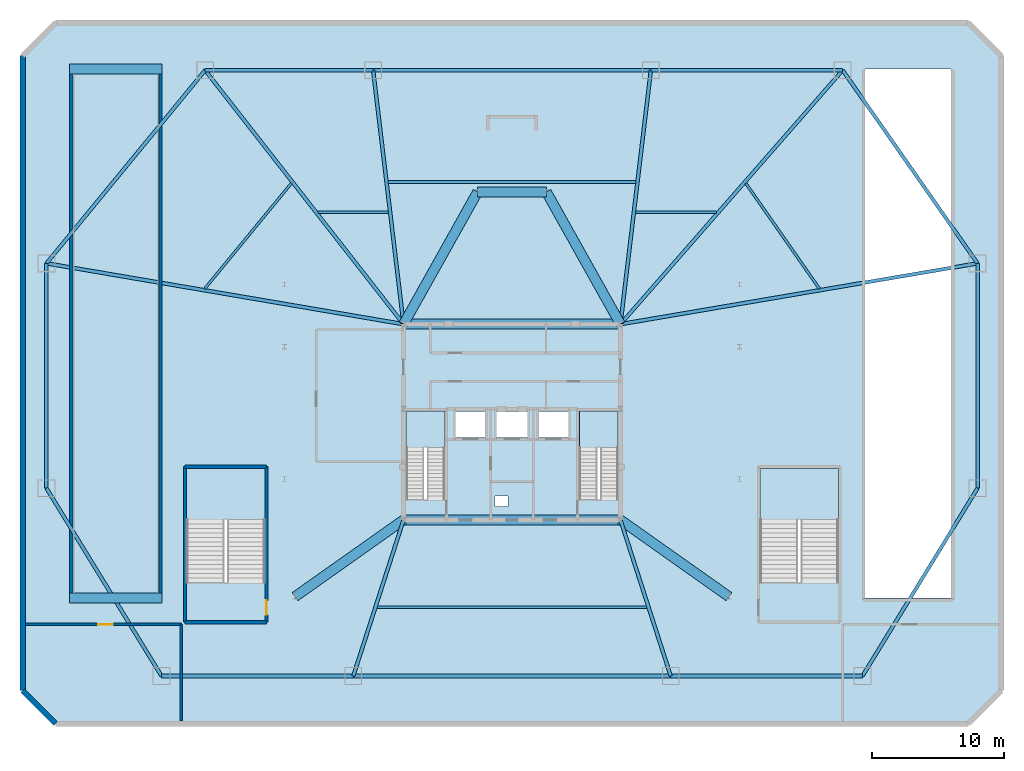
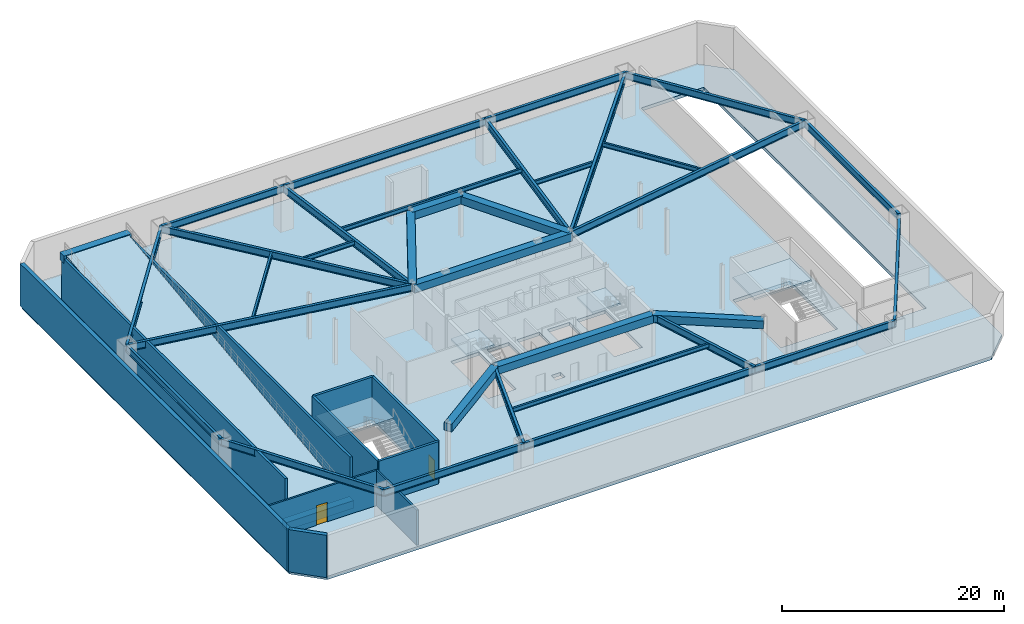
# One storey, part 5 of 9: 35 beams, 10 walls, 6 slabs, 2 doors, 2 openings, 4 elements without a shape of their own.
"""IFC4 building model written with IfcOpenShell, lengths in metres."""

from ifc_helpers import new_model, si_unit, direction, frame, frame_2d, origin, origin_2d, place, context, subcontext, project, spatial, polyline, rectangle, i_section, outline, extrude, material, layer, layer_set, material_profile, profile_set, type_object, element, fill, aggregate, save


model = new_model("IFC4")

# Units and contexts
model_context = context("Model", 3, precision=1e-05, world=origin(), true_north=direction((0.0, 1.0)))
body_context = subcontext(model_context, "Body", "Model", "MODEL_VIEW")
ifc_project = project(units=[si_unit("LENGTHUNIT", "METRE"), si_unit("AREAUNIT", "SQUARE_METRE"), si_unit("VOLUMEUNIT", "CUBIC_METRE"), si_unit("PLANEANGLEUNIT", "RADIAN"), si_unit("MASSUNIT", "GRAM", prefix="KILO")], contexts=[model_context])

# Site, building, storey
site_placement = place(None, origin())
site = spatial("IfcSite", under=ifc_project, at=site_placement, CompositionType="ELEMENT")
building_placement = place(site_placement, origin())
building = spatial("IfcBuilding", under=site, at=building_placement, Name="Varakhsha Concourse Tower", CompositionType="ELEMENT")
storey_placement = place(building_placement, frame((0.0, 0.0, -5.0)))
storey = spatial("IfcBuildingStorey", under=building, at=storey_placement, Name="B01", CompositionType="ELEMENT", Elevation=-5.0)

# Beams
ifc_material_1 = material(Name="Structural Steel ASTM A992 Grade 50", Category="steel")
ifc_material_profile_1 = material_profile(ifc_material_1, i_section(OverallWidth=0.26611328125, OverallDepth=0.779052734375, WebThickness=0.01708984375, FlangeThickness=0.030029296875, at=origin_2d()), Name="W30X148")
ifc_profile_set_1 = profile_set([ifc_material_profile_1], Name="Structural Steel ASTM A992 Grade 50")
beam_type_1 = type_object("IfcBeamType", Name="BM-BASE-W30X148", PredefinedType="USERDEFINED", material=ifc_profile_set_1)
beam_1_placement = place(storey_placement, frame((13.5, 4.60009765625, 4.260498046875), z_axis=(1.0, 0.0, 0.0), x_axis=(0.0, 1.0, 0.0)))
element("IfcBeam", 1, at=beam_1_placement, inside=storey, type_object=beam_type_1, Name="BM-PRING-B01-01", ObjectType="GIRDER", PredefinedType="USERDEFINED", context=body_context, shape_type="SweptSolid", body=[
    extrude(i_section(OverallWidth=0.26611328125, OverallDepth=0.779052734375, WebThickness=0.01708984375, FlangeThickness=0.030029296875, at=origin_2d()), origin(), (0.0, 0.0, 1.0), 14.5),
])
beam_2_placement = place(storey_placement, frame((28.0, 4.60009765625, 4.260498046875), z_axis=(1.0, 0.0, 0.0), x_axis=(0.0, 1.0, 0.0)))
element("IfcBeam", 2, at=beam_2_placement, inside=storey, type_object=beam_type_1, Name="BM-PRING-B01-02", ObjectType="GIRDER", PredefinedType="USERDEFINED", context=body_context, shape_type="SweptSolid", body=[
    extrude(i_section(OverallWidth=0.26611328125, OverallDepth=0.779052734375, WebThickness=0.01708984375, FlangeThickness=0.030029296875, at=origin_2d()), origin(), (0.0, 0.0, 1.0), 24.0),
])
beam_3_placement = place(storey_placement, frame((52.0, 4.60009765625, 4.260498046875), z_axis=(1.0, 0.0, 0.0), x_axis=(0.0, 1.0, 0.0)))
element("IfcBeam", 3, at=beam_3_placement, inside=storey, type_object=beam_type_1, Name="BM-PRING-B01-03", ObjectType="GIRDER", PredefinedType="USERDEFINED", context=body_context, shape_type="SweptSolid", body=[
    extrude(i_section(OverallWidth=0.26611328125, OverallDepth=0.779052734375, WebThickness=0.01708984375, FlangeThickness=0.030029296875, at=origin_2d()), origin(), (0.0, 0.0, 1.0), 14.5),
])
beam_4_placement = place(storey_placement, frame((66.5, 4.60009765625, 4.260498046875), z_axis=(0.522420415639, 0.852688049244, 0.0), x_axis=(-0.852688049244, 0.522420415639, 0.0)))
element("IfcBeam", 4, at=beam_4_placement, inside=storey, type_object=beam_type_1, Name="BM-PRING-B01-04", ObjectType="GIRDER", PredefinedType="USERDEFINED", context=body_context, shape_type="SweptSolid", body=[
    extrude(i_section(OverallWidth=0.26611328125, OverallDepth=0.779052734375, WebThickness=0.01708984375, FlangeThickness=0.030029296875, at=origin_2d()), origin(), (0.0, 0.0, 1.0), 16.653076171875),
])
beam_5_placement = place(storey_placement, frame((75.199951171875, 18.800048828125, 4.260498046875), z_axis=(0.0, 1.0, 0.0), x_axis=(-1.0, 0.0, 0.0)))
element("IfcBeam", 5, at=beam_5_placement, inside=storey, type_object=beam_type_1, Name="BM-PRING-B01-05", ObjectType="GIRDER", PredefinedType="USERDEFINED", context=body_context, shape_type="SweptSolid", body=[
    extrude(i_section(OverallWidth=0.26611328125, OverallDepth=0.779052734375, WebThickness=0.01708984375, FlangeThickness=0.030029296875, at=origin_2d()), origin(), (0.0, 0.0, 1.0), 17.0),
])
beam_6_placement = place(storey_placement, frame((75.199951171875, 35.800048828125, 4.260498046875), z_axis=(-0.572710457839, 0.819757727309, 0.0), x_axis=(-0.819757727309, -0.572710457839, 0.0)))
element("IfcBeam", 6, at=beam_6_placement, inside=storey, type_object=beam_type_1, Name="BM-PRING-B01-06", ObjectType="GIRDER", PredefinedType="USERDEFINED", context=body_context, shape_type="SweptSolid", body=[
    extrude(i_section(OverallWidth=0.26611328125, OverallDepth=0.779052734375, WebThickness=0.01708984375, FlangeThickness=0.030029296875, at=origin_2d()), origin(), (0.0, 0.0, 1.0), 17.81005859375),
])
beam_7_placement = place(storey_placement, frame((65.0, 50.39990234375, 4.260498046875), z_axis=(-1.0, 0.0, 0.0), x_axis=(0.0, -1.0, 0.0)))
element("IfcBeam", 7, at=beam_7_placement, inside=storey, type_object=beam_type_1, Name="BM-PRING-B01-07", ObjectType="GIRDER", PredefinedType="USERDEFINED", context=body_context, shape_type="SweptSolid", body=[
    extrude(i_section(OverallWidth=0.26611328125, OverallDepth=0.779052734375, WebThickness=0.01708984375, FlangeThickness=0.030029296875, at=origin_2d()), origin(), (0.0, 0.0, 1.0), 14.5),
])
beam_8_placement = place(storey_placement, frame((50.5, 50.39990234375, 4.260498046875), z_axis=(-1.0, 0.0, 0.0), x_axis=(0.0, -1.0, 0.0)))
element("IfcBeam", 8, at=beam_8_placement, inside=storey, type_object=beam_type_1, Name="BM-PRING-B01-08", ObjectType="GIRDER", PredefinedType="USERDEFINED", context=body_context, shape_type="SweptSolid", body=[
    extrude(i_section(OverallWidth=0.26611328125, OverallDepth=0.779052734375, WebThickness=0.01708984375, FlangeThickness=0.030029296875, at=origin_2d()), origin(), (0.0, 0.0, 1.0), 21.0),
])
beam_9_placement = place(storey_placement, frame((29.5, 50.39990234375, 4.260498046875), z_axis=(-1.0, 0.0, 0.0), x_axis=(0.0, -1.0, 0.0)))
element("IfcBeam", 9, at=beam_9_placement, inside=storey, type_object=beam_type_1, Name="BM-PRING-B01-09", ObjectType="GIRDER", PredefinedType="USERDEFINED", context=body_context, shape_type="SweptSolid", body=[
    extrude(i_section(OverallWidth=0.26611328125, OverallDepth=0.779052734375, WebThickness=0.01708984375, FlangeThickness=0.030029296875, at=origin_2d()), origin(), (0.0, 0.0, 1.0), 12.699951171875),
])
beam_10_placement = place(storey_placement, frame((16.800048828125, 50.39990234375, 4.260498046875), z_axis=(-0.634968877859, -0.772537716976, 0.0), x_axis=(0.772537716976, -0.634968877859, 0.0)))
element("IfcBeam", 10, at=beam_10_placement, inside=storey, type_object=beam_type_1, Name="BM-PRING-B01-10", ObjectType="GIRDER", PredefinedType="USERDEFINED", context=body_context, shape_type="SweptSolid", body=[
    extrude(i_section(OverallWidth=0.26611328125, OverallDepth=0.779052734375, WebThickness=0.01708984375, FlangeThickness=0.030029296875, at=origin_2d()), origin(), (0.0, 0.0, 1.0), 18.898681640625),
])
beam_11_placement = place(storey_placement, frame((4.800048828125, 35.800048828125, 4.260498046875), z_axis=(0.0, -1.0, 0.0), x_axis=(1.0, 0.0, 0.0)))
element("IfcBeam", 11, at=beam_11_placement, inside=storey, type_object=beam_type_1, Name="BM-PRING-B01-11", ObjectType="GIRDER", PredefinedType="USERDEFINED", context=body_context, shape_type="SweptSolid", body=[
    extrude(i_section(OverallWidth=0.26611328125, OverallDepth=0.779052734375, WebThickness=0.01708984375, FlangeThickness=0.030029296875, at=origin_2d()), origin(), (0.0, 0.0, 1.0), 17.0),
])
beam_12_placement = place(storey_placement, frame((4.800048828125, 18.800048828125, 4.260498046875), z_axis=(0.522420415639, -0.852688049244, 0.0), x_axis=(0.852688049244, 0.522420415639, 0.0)))
element("IfcBeam", 12, at=beam_12_placement, inside=storey, type_object=beam_type_1, Name="BM-PRING-B01-12", ObjectType="GIRDER", PredefinedType="USERDEFINED", context=body_context, shape_type="SweptSolid", body=[
    extrude(i_section(OverallWidth=0.26611328125, OverallDepth=0.779052734375, WebThickness=0.01708984375, FlangeThickness=0.030029296875, at=origin_2d()), origin(), (0.0, 0.0, 1.0), 16.653076171875),
])
for number, where, z_axis, x_axis, name in (
    (13, (31.800048828125, 16.39990234375, 4.260498046875), (-0.306539531823, -0.951857928175, 0.0), (0.951857928175, -0.306539531823, 0.0), "BM-PRAD-B01-02"),
    (14, (48.199951171875, 16.39990234375, 4.260498046875), (0.306539531823, -0.951857928175, 0.0), (0.951857928175, 0.306539531823, 0.0), "BM-PRAD-B01-03"),
):
    element("IfcBeam", number, at=place(storey_placement, frame(where, z_axis=z_axis, x_axis=x_axis)), inside=storey, type_object=beam_type_1, Name=name, ObjectType="GIRDER", PredefinedType="USERDEFINED", context=body_context, shape_type="SweptSolid", body=[
        extrude(i_section(OverallWidth=0.26611328125, OverallDepth=0.779052734375, WebThickness=0.01708984375, FlangeThickness=0.030029296875, at=origin_2d()), origin(), (0.0, 0.0, 1.0), 12.396484375),
    ])
beam_13_placement = place(storey_placement, frame((48.199951171875, 31.199951171875, 4.260498046875), z_axis=(0.985794867271, 0.167953802166, 0.0), x_axis=(-0.167953802166, 0.985794867271, 0.0)))
element("IfcBeam", 15, at=beam_13_placement, inside=storey, type_object=beam_type_1, Name="BM-PRAD-B01-06", ObjectType="GIRDER", PredefinedType="USERDEFINED", context=body_context, shape_type="SweptSolid", body=[
    extrude(i_section(OverallWidth=0.26611328125, OverallDepth=0.779052734375, WebThickness=0.01708984375, FlangeThickness=0.030029296875, at=origin_2d()), origin(), (0.0, 0.0, 1.0), 27.38916015625),
])
beam_14_placement = place(storey_placement, frame((48.199951171875, 31.199951171875, 4.260498046875), z_axis=(0.658506640328, 0.7525749163, 0.0), x_axis=(-0.7525749163, 0.658506640328, 0.0)))
element("IfcBeam", 16, at=beam_14_placement, inside=storey, type_object=beam_type_1, Name="BM-PRAD-B01-07", ObjectType="GIRDER", PredefinedType="USERDEFINED", context=body_context, shape_type="SweptSolid", body=[
    extrude(i_section(OverallWidth=0.26611328125, OverallDepth=0.779052734375, WebThickness=0.01708984375, FlangeThickness=0.030029296875, at=origin_2d()), origin(), (0.0, 0.0, 1.0), 25.512451171875),
])
for number, where, z_axis, x_axis, name in (
    (17, (48.199951171875, 31.199951171875, 4.260498046875), (0.118944087656, 0.992900953777, 0.0), (-0.992900953777, 0.118944087656, 0.0), "BM-PRAD-B01-08"),
    (18, (31.800048828125, 31.199951171875, 4.260498046875), (-0.118944087656, 0.992900953777, 0.0), (-0.992900953777, -0.118944087656, 0.0), "BM-PRAD-B01-09"),
):
    element("IfcBeam", number, at=place(storey_placement, frame(where, z_axis=z_axis, x_axis=x_axis)), inside=storey, type_object=beam_type_1, Name=name, ObjectType="GIRDER", PredefinedType="USERDEFINED", context=body_context, shape_type="SweptSolid", body=[
        extrude(i_section(OverallWidth=0.26611328125, OverallDepth=0.779052734375, WebThickness=0.01708984375, FlangeThickness=0.030029296875, at=origin_2d()), origin(), (0.0, 0.0, 1.0), 19.337158203125),
    ])
beam_15_placement = place(storey_placement, frame((31.800048828125, 31.199951171875, 4.260498046875), z_axis=(-0.615645014223, 0.788023614153, 0.0), x_axis=(-0.788023614153, -0.615645014223, 0.0)))
element("IfcBeam", 19, at=beam_15_placement, inside=storey, type_object=beam_type_1, Name="BM-PRAD-B01-10", ObjectType="GIRDER", PredefinedType="USERDEFINED", context=body_context, shape_type="SweptSolid", body=[
    extrude(i_section(OverallWidth=0.26611328125, OverallDepth=0.779052734375, WebThickness=0.01708984375, FlangeThickness=0.030029296875, at=origin_2d()), origin(), (0.0, 0.0, 1.0), 24.36474609375),
])
beam_16_placement = place(storey_placement, frame((31.800048828125, 31.199951171875, 4.260498046875), z_axis=(-0.985794867271, 0.167953802166, 0.0), x_axis=(-0.167953802166, -0.985794867271, 0.0)))
element("IfcBeam", 20, at=beam_16_placement, inside=storey, type_object=beam_type_1, Name="BM-PRAD-B01-11", ObjectType="GIRDER", PredefinedType="USERDEFINED", context=body_context, shape_type="SweptSolid", body=[
    extrude(i_section(OverallWidth=0.26611328125, OverallDepth=0.779052734375, WebThickness=0.01708984375, FlangeThickness=0.030029296875, at=origin_2d()), origin(), (0.0, 0.0, 1.0), 27.38916015625),
])
ifc_material_profile_2 = material_profile(ifc_material_1, i_section(OverallWidth=0.19091796875, OverallDepth=0.45703125, WebThickness=0.009033203125, FlangeThickness=0.013916015625, at=origin_2d()), Name="W18X50")
ifc_profile_set_2 = profile_set([ifc_material_profile_2], Name="Structural Steel ASTM A992 Grade 50")
beam_type_2 = type_object("IfcBeamType", Name="BM-JST-W18X50", PredefinedType="JOIST", material=ifc_profile_set_2)
beam_17_placement = place(storey_placement, frame((29.7919921875, 9.7919921875, 4.42138671875), z_axis=(1.0, 0.0, 0.0), x_axis=(0.0, 1.0, 0.0)))
element("IfcBeam", 21, at=beam_17_placement, inside=storey, type_object=beam_type_2, Name="BM-PJST-B01-02", PredefinedType="JOIST", context=body_context, shape_type="SweptSolid", body=[
    extrude(i_section(OverallWidth=0.19091796875, OverallDepth=0.45703125, WebThickness=0.009033203125, FlangeThickness=0.013916015625, at=origin_2d()), origin(), (0.0, 0.0, 1.0), 20.416015625),
])
beam_18_placement = place(storey_placement, frame((63.251220703125, 33.87451171875, 4.42138671875), z_axis=(-0.572714673091, 0.819754782375, 0.0), x_axis=(-0.819754782375, -0.572714673091, 0.0)))
element("IfcBeam", 22, at=beam_18_placement, inside=storey, type_object=beam_type_2, Name="BM-PJST-B01-06", PredefinedType="JOIST", context=body_context, shape_type="SweptSolid", body=[
    extrude(i_section(OverallWidth=0.19091796875, OverallDepth=0.45703125, WebThickness=0.009033203125, FlangeThickness=0.013916015625, at=origin_2d()), origin(), (0.0, 0.0, 1.0), 9.7333984375),
])
beam_19_placement = place(storey_placement, frame((55.471923828125, 39.64794921875, 4.42138671875), z_axis=(-1.0, 0.0, 0.0), x_axis=(0.0, -1.0, 0.0)))
element("IfcBeam", 23, at=beam_19_placement, inside=storey, type_object=beam_type_2, Name="BM-PJST-B01-07", PredefinedType="JOIST", context=body_context, shape_type="SweptSolid", body=[
    extrude(i_section(OverallWidth=0.19091796875, OverallDepth=0.45703125, WebThickness=0.009033203125, FlangeThickness=0.013916015625, at=origin_2d()), origin(), (0.0, 0.0, 1.0), 6.139892578125),
])
beam_20_placement = place(storey_placement, frame((49.367919921875, 41.951904296875, 4.42138671875), z_axis=(-1.0, 0.0, 0.0), x_axis=(0.0, -1.0, 0.0)))
element("IfcBeam", 24, at=beam_20_placement, inside=storey, type_object=beam_type_2, Name="BM-PJST-B01-08", PredefinedType="JOIST", context=body_context, shape_type="SweptSolid", body=[
    extrude(i_section(OverallWidth=0.19091796875, OverallDepth=0.45703125, WebThickness=0.009033203125, FlangeThickness=0.013916015625, at=origin_2d()), origin(), (0.0, 0.0, 1.0), 18.73583984375),
])
beam_21_placement = place(storey_placement, frame((30.66796875, 39.64794921875, 4.42138671875), z_axis=(-1.0, 0.0, 0.0), x_axis=(0.0, -1.0, 0.0)))
element("IfcBeam", 25, at=beam_21_placement, inside=storey, type_object=beam_type_2, Name="BM-PJST-B01-09", PredefinedType="JOIST", context=body_context, shape_type="SweptSolid", body=[
    extrude(i_section(OverallWidth=0.19091796875, OverallDepth=0.45703125, WebThickness=0.009033203125, FlangeThickness=0.013916015625, at=origin_2d()), origin(), (0.0, 0.0, 1.0), 5.347900390625),
])
beam_22_placement = place(storey_placement, frame((23.32373046875, 41.859375, 4.42138671875), z_axis=(-0.634959865375, -0.772545124483, 0.0), x_axis=(0.772545124483, -0.634959865375, 0.0)))
element("IfcBeam", 26, at=beam_22_placement, inside=storey, type_object=beam_type_2, Name="BM-PJST-B01-10", PredefinedType="JOIST", context=body_context, shape_type="SweptSolid", body=[
    extrude(i_section(OverallWidth=0.19091796875, OverallDepth=0.45703125, WebThickness=0.009033203125, FlangeThickness=0.013916015625, at=origin_2d()), origin(), (0.0, 0.0, 1.0), 10.34326171875),
])
ifc_material_2 = material(Name="Concrete fc 65 MPa", Category="concrete")
ifc_material_profile_3 = material_profile(ifc_material_2, rectangle(XDim=0.75, YDim=0.85009765625, at=origin_2d()), Name="RC 750x850")
ifc_profile_set_3 = profile_set([ifc_material_profile_3], Name="Concrete fc 65 MPa")
beam_type_3 = type_object("IfcBeamType", Name="BM-RC-750X850", PredefinedType="BEAM", material=ifc_profile_set_3)
for number, where, z_axis, x_axis, name in (
    (27, (31.800048828125, 16.39990234375, 4.22509765625), (1.0, 0.0, 0.0), (0.0, 1.0, 0.0), "BM-CORE-B01-CS"),
    (28, (31.800048828125, 31.199951171875, 4.22509765625), (1.0, 0.0, 0.0), (0.0, 1.0, 0.0), "BM-CORE-B01-CN"),
):
    element("IfcBeam", number, at=place(storey_placement, frame(where, z_axis=z_axis, x_axis=x_axis)), inside=storey, type_object=beam_type_3, Name=name, PredefinedType="BEAM", context=body_context, shape_type="SweptSolid", body=[
        extrude(rectangle(XDim=0.75, YDim=0.85009765625, at=origin_2d()), origin(), (0.0, 0.0, 1.0), 16.39990234375),
    ])
for number, where, z_axis, x_axis, name in (
    (29, (31.800048828125, 31.199951171875, 4.22509765625), (0.488593639205, 0.872511464526, 0.0), (-0.872511464526, 0.488593639205, 0.0), "BM-CORE-B01-NSW"),
    (30, (48.199951171875, 31.199951171875, 4.22509765625), (-0.488593639205, 0.872511464526, 0.0), (-0.872511464526, -0.488593639205, 0.0), "BM-CORE-B01-NSE"),
):
    element("IfcBeam", number, at=place(storey_placement, frame(where, z_axis=z_axis, x_axis=x_axis)), inside=storey, type_object=beam_type_3, Name=name, PredefinedType="BEAM", context=body_context, shape_type="SweptSolid", body=[
        extrude(rectangle(XDim=0.75, YDim=0.85009765625, at=origin_2d()), origin(), (0.0, 0.0, 1.0), 11.461181640625),
    ])
beam_23_placement = place(storey_placement, frame((37.39990234375, 41.199951171875, 4.22509765625), z_axis=(1.0, 0.0, 0.0), x_axis=(0.0, 1.0, 0.0)))
element("IfcBeam", 31, at=beam_23_placement, inside=storey, type_object=beam_type_3, Name="BM-CORE-B01-NSB", PredefinedType="BEAM", context=body_context, shape_type="SweptSolid", body=[
    extrude(rectangle(XDim=0.75, YDim=0.85009765625, at=origin_2d()), origin(), (0.0, 0.0, 1.0), 5.2001953125),
])
for number, where, z_axis, x_axis, name in (
    (32, (31.800048828125, 16.39990234375, 4.22509765625), (-0.816423186202, -0.577454051014, 0.0), (0.577454051014, -0.816423186202, 0.0), "BM-CORE-B01-SSW"),
    (33, (48.199951171875, 16.39990234375, 4.22509765625), (0.816423186202, -0.577454051014, 0.0), (0.577454051014, 0.816423186202, 0.0), "BM-CORE-B01-SSE"),
):
    element("IfcBeam", number, at=place(storey_placement, frame(where, z_axis=z_axis, x_axis=x_axis)), inside=storey, type_object=beam_type_3, Name=name, PredefinedType="BEAM", context=body_context, shape_type="SweptSolid", body=[
        extrude(rectangle(XDim=0.75, YDim=0.85009765625, at=origin_2d()), origin(), (0.0, 0.0, 1.0), 10.043701171875),
    ])
for number, where, z_axis, x_axis, name in (
    (34, (6.550048828125, 10.5, -0.425048828125), (1.0, 0.0, 0.0), (0.0, 1.0, 0.0), "B01 Vehicle Ramp Toe Support Beam"),
    (35, (6.550048828125, 50.5, 4.574951171875), (1.0, 0.0, 0.0), (0.0, 1.0, 0.0), "B01 Vehicle Ramp Head Support Beam"),
):
    element("IfcBeam", number, at=place(storey_placement, frame(where, z_axis=z_axis, x_axis=x_axis)), inside=storey, type_object=beam_type_3, Name=name, PredefinedType="BEAM", context=body_context, shape_type="SweptSolid", body=[
        extrude(rectangle(XDim=0.75, YDim=0.85009765625, at=origin_2d()), origin(), (0.0, 0.0, 1.0), 7.0),
    ])

# Slab
ifc_material_3 = material(Name="Concrete fc 45 MPa", Category="concrete")
ifc_layer_1 = layer(ifc_material_3, 0.360107421875, Name="SL-FLR-360")
ifc_layer_set_1 = layer_set([ifc_layer_1], Name="Concrete fc 45 MPa")
slab_type_1 = type_object("IfcSlabType", Name="SL-FLR-360", PredefinedType="FLOOR", material=ifc_layer_set_1)
slab_1_placement = place(storey_placement, frame((0.0, 0.0, -0.360107421875)))
element("IfcSlab", 36, at=slab_1_placement, inside=storey, type_object=slab_type_1, Name="B01 Composite Structural Slab", PredefinedType="FLOOR", context=body_context, shape_type="SweptSolid", body=[
    extrude(outline(polyline([(5.5, 1.0), (74.5, 1.0), (77.0, 3.5), (77.0, 51.5), (74.5, 54.0), (5.5, 54.0), (3.0, 51.5), (3.0, 3.5), (5.5, 1.0)]), holes=[polyline([(34.919921875, 17.93994140625), (34.919921875, 24.6298828125), (32.0, 24.6298828125), (32.0, 17.93994140625), (34.919921875, 17.93994140625)]), polyline([(48.02001953125, 17.93994140625), (48.02001953125, 24.6298828125), (45.10009765625, 24.6298828125), (45.10009765625, 17.93994140625), (48.02001953125, 17.93994140625)]), polyline([(21.320068359375, 11.659912109375), (21.320068359375, 20.300048828125), (15.39990234375, 20.300048828125), (15.39990234375, 11.659912109375), (21.320068359375, 11.659912109375)]), polyline([(64.679931640625, 11.659912109375), (64.679931640625, 20.300048828125), (58.760009765625, 20.300048828125), (58.760009765625, 11.659912109375), (64.679931640625, 11.659912109375)]), polyline([(35.7099609375, 22.639892578125), (37.989990234375, 22.639892578125), (37.989990234375, 24.60009765625), (35.7099609375, 24.60009765625), (35.7099609375, 22.639892578125)]), polyline([(42.010009765625, 22.639892578125), (44.2900390625, 22.639892578125), (44.2900390625, 24.60009765625), (42.010009765625, 24.60009765625), (42.010009765625, 22.639892578125)]), polyline([(38.81005859375, 22.639892578125), (41.18994140625, 22.639892578125), (41.18994140625, 24.60009765625), (38.81005859375, 24.60009765625), (38.81005859375, 22.639892578125)]), polyline([(38.719970703125, 17.39990234375), (39.679931640625, 17.39990234375), (39.679931640625, 18.199951171875), (38.719970703125, 18.199951171875), (38.719970703125, 17.39990234375)]), polyline([(66.699951171875, 10.5), (73.199951171875, 10.5), (73.199951171875, 50.47998046875), (66.699951171875, 50.47998046875), (66.699951171875, 10.5)]), polyline([(6.75, 10.35009765625), (13.35009765625, 10.35009765625), (13.35009765625, 13.5), (6.75, 13.5), (6.75, 10.35009765625)])]), origin(), (0.0, 0.0, 1.0), 0.360107421875),
])

# Stair, slab
stair_type_1 = type_object("IfcStairType", Name="ST-DOGLEG-1360", PredefinedType="HALF_TURN_STAIR", material=ifc_material_3)
stair_1_placement = place(storey_placement, origin())
stair_1 = element("IfcStair", 37, at=stair_1_placement, inside=storey, type_object=stair_type_1, Name="B01 Protected Exit Stair ST1", PredefinedType="HALF_TURN_STAIR")
ifc_layer_2 = layer(ifc_material_3, 0.199951171875, Name="SL-LAND-200")
ifc_layer_set_2 = layer_set([ifc_layer_2], Name="Concrete fc 45 MPa")
slab_type_2 = type_object("IfcSlabType", Name="SL-LAND-200", PredefinedType="LANDING", material=ifc_layer_set_2)
slab_2_placement = place(storey_placement, frame((0.0, 0.0, 2.300048828125)))
slab_2 = element("IfcSlab", 38, at=slab_2_placement, type_object=slab_type_2, Name="ST1 landing 1", PredefinedType="LANDING", context=body_context, shape_type="SweptSolid", body=[
    extrude(outline(polyline([(34.919921875, 21.860107421875), (34.919921875, 24.6298828125), (32.0, 24.6298828125), (32.0, 21.860107421875), (34.919921875, 21.860107421875)])), origin(), (0.0, 0.0, 1.0), 0.199951171875),
])
aggregate(stair_1, [slab_2])

stair_2_placement = place(storey_placement, origin())
stair_2 = element("IfcStair", 39, at=stair_2_placement, inside=storey, type_object=stair_type_1, Name="B01 Protected Exit Stair ST2", PredefinedType="HALF_TURN_STAIR")
slab_3_placement = place(storey_placement, frame((0.0, 0.0, 2.300048828125)))
slab_3 = element("IfcSlab", 40, at=slab_3_placement, type_object=slab_type_2, Name="ST2 landing 1", PredefinedType="LANDING", context=body_context, shape_type="SweptSolid", body=[
    extrude(outline(polyline([(48.02001953125, 21.860107421875), (48.02001953125, 24.6298828125), (45.10009765625, 24.6298828125), (45.10009765625, 21.860107421875), (48.02001953125, 21.860107421875)])), origin(), (0.0, 0.0, 1.0), 0.199951171875),
])
aggregate(stair_2, [slab_3])

stair_type_2 = type_object("IfcStairType", Name="ST-DOGLEG-2860", PredefinedType="HALF_TURN_STAIR", material=ifc_material_3)
stair_3_placement = place(storey_placement, origin())
stair_3 = element("IfcStair", 41, at=stair_3_placement, inside=storey, type_object=stair_type_2, Name="B01 Protected Exit Stair ST3", PredefinedType="HALF_TURN_STAIR")
slab_4_placement = place(storey_placement, frame((0.0, 0.0, 2.300048828125)))
slab_4 = element("IfcSlab", 42, at=slab_4_placement, type_object=slab_type_2, Name="ST3 landing 1", PredefinedType="LANDING", context=body_context, shape_type="SweptSolid", body=[
    extrude(outline(polyline([(21.320068359375, 16.419921875), (21.320068359375, 20.300048828125), (15.39990234375, 20.300048828125), (15.39990234375, 16.419921875), (21.320068359375, 16.419921875)])), origin(), (0.0, 0.0, 1.0), 0.199951171875),
])
aggregate(stair_3, [slab_4])

stair_4_placement = place(storey_placement, origin())
stair_4 = element("IfcStair", 43, at=stair_4_placement, inside=storey, type_object=stair_type_2, Name="B01 Protected Exit Stair ST4", PredefinedType="HALF_TURN_STAIR")
slab_5_placement = place(storey_placement, frame((0.0, 0.0, 2.300048828125)))
slab_5 = element("IfcSlab", 44, at=slab_5_placement, type_object=slab_type_2, Name="ST4 landing 1", PredefinedType="LANDING", context=body_context, shape_type="SweptSolid", body=[
    extrude(outline(polyline([(64.679931640625, 16.419921875), (64.679931640625, 20.300048828125), (58.760009765625, 20.300048828125), (58.760009765625, 16.419921875), (64.679931640625, 16.419921875)])), origin(), (0.0, 0.0, 1.0), 0.199951171875),
])
aggregate(stair_4, [slab_5])

# Slab
ifc_layer_3 = layer(ifc_material_2, 0.35009765625, Name="SL-VRAMP-350")
ifc_layer_set_3 = layer_set([ifc_layer_3], Name="Concrete fc 65 MPa")
slab_type_3 = type_object("IfcSlabType", Name="SL-VRAMP-350", PredefinedType="FLOOR", material=ifc_layer_set_3)
slab_6_placement = place(storey_placement, frame((6.800048828125, 10.419921875, 0.0), z_axis=(0.0, -0.123547656769, 0.992338640035), x_axis=(1.0, 0.0, 0.0)))
element("IfcSlab", 45, at=slab_6_placement, inside=storey, type_object=slab_type_3, Name="B01 Structural Vehicle Ramp Slab VRAMP-B01-L01", PredefinedType="FLOOR", context=body_context, shape_type="SweptSolid", body=[
    extrude(outline(polyline([(0.0, 0.0), (6.5, 0.0), (6.5, 40.47021312057072), (0.0, 40.47021312057072), (0.0, 0.0)])), origin(), (0.0, 0.0, -1.0), 0.35009765625),
])

# Walls
ifc_layer_4 = layer(ifc_material_3, 0.39990234375, Name="WL-BSMT-400")
ifc_layer_set_4 = layer_set([ifc_layer_4], Name="Concrete fc 45 MPa")
wall_type_1 = type_object("IfcWallType", Name="WL-BSMT-400", PredefinedType="USERDEFINED", material=ifc_layer_set_4)
wall_1_placement = place(storey_placement, frame((3.0, 51.5, 0.0), z_axis=(0.0, 0.0, 1.0), x_axis=(0.0, -1.0, 0.0)))
element("IfcWall", 46, at=wall_1_placement, inside=storey, type_object=wall_type_1, Name="B01 Perimeter Basement Retaining Wall 07", ObjectType="RETAINING WALL", PredefinedType="USERDEFINED", context=body_context, shape_type="SweptSolid", body=[
    extrude(rectangle(XDim=48.0, YDim=0.39990234375, at=frame_2d((24.0, 0.0))), origin(), (0.0, 0.0, 1.0), 4.64990234375),
])
wall_2_placement = place(storey_placement, frame((3.0, 3.5, 0.0), z_axis=(0.0, 0.0, 1.0), x_axis=(0.707106781187, -0.707106781187, 0.0)))
element("IfcWall", 47, at=wall_2_placement, inside=storey, type_object=wall_type_1, Name="B01 Perimeter Basement Retaining Wall 08", ObjectType="RETAINING WALL", PredefinedType="USERDEFINED", context=body_context, shape_type="SweptSolid", body=[
    extrude(rectangle(XDim=3.53564453125, YDim=0.39990234375, at=frame_2d((1.767822265625, 0.0))), origin(), (0.0, 0.0, 1.0), 4.64990234375),
])
ifc_material_4 = material(Name="Fire-Rated Type X Gypsum Partition Assembly", Category="gypsum")
ifc_layer_5 = layer(ifc_material_4, 0.179931640625, Name="WL-PART-180")
ifc_layer_set_5 = layer_set([ifc_layer_5], Name="Fire-Rated Type X Gypsum Partition Assembly")
wall_type_2 = type_object("IfcWallType", Name="WL-PART-180", PredefinedType="PARTITIONING", material=ifc_layer_set_5)
wall_3_placement = place(storey_placement, frame((15.0, 1.199951171875, 0.0), z_axis=(0.0, 0.0, 1.0), x_axis=(0.0, 1.0, 0.0)))
element("IfcWall", 48, at=wall_3_placement, inside=storey, type_object=wall_type_2, Name="B01 Wall BWALL-PLA-E-B01", PredefinedType="PARTITIONING", context=body_context, shape_type="SweptSolid", body=[
    extrude(rectangle(XDim=7.300048828125, YDim=0.179931640625, at=frame_2d((3.64990234375, 0.0))), origin(), (0.0, 0.0, 1.0), 3.861083984375),
])

# Wall, opening, door
wall_4_placement = place(storey_placement, frame((3.199951171875, 8.5, 0.0), z_axis=(0.0, 0.0, 1.0), x_axis=(1.0, 0.0, 0.0)))
wall_4 = element("IfcWall", 49, at=wall_4_placement, inside=storey, type_object=wall_type_2, Name="B01 Wall BWALL-PLA-B01", PredefinedType="PARTITIONING", context=body_context, shape_type="SweptSolid", body=[
    extrude(rectangle(XDim=11.800048828125, YDim=0.179931640625, at=frame_2d((5.89990234375, 0.0))), origin(), (0.0, 0.0, 1.0), 3.861083984375),
])
opening_1_placement = place(wall_4_placement, frame((5.5, 0.0, 0.0)))
opening_1 = element("IfcOpeningElement", 50, at=opening_1_placement, cuts=wall_4, Name="Opening DF-02", PredefinedType="OPENING", context=body_context, shape_type="SweptSolid", body=[
    extrude(rectangle(XDim=1.10009765625, YDim=2.14990234375, at=frame_2d((0.550048828125, 1.074951171875))), frame((0.0, 0.099853515625, 0.0), z_axis=(0.0, -1.0, 0.0), x_axis=(1.0, 0.0, 0.0)), (0.0, 0.0, 1.0), 0.199951171875),
])
ifc_material_5 = material(Name="Hollow Galvanised Steel Fire Door Assembly", Category="steel")
door_type = type_object("IfcDoorType", Name="DR-FD90-1100", OperationType="NOTDEFINED", PredefinedType="DOOR", material=ifc_material_5)
door_1_placement = place(opening_1_placement, origin())
door_1 = element("IfcDoor", 51, at=door_1_placement, inside=storey, type_object=door_type, Name="B01 Semi-Trailer Loading Dock and Freight Bay Door", OperationType="SINGLE_SWING_LEFT", OverallHeight=2.14990234375, OverallWidth=1.10009765625, PredefinedType="DOOR", context=body_context, shape_type="SweptSolid", body=[
    extrude(rectangle(XDim=1.10009765625, YDim=2.14990234375, at=frame_2d((0.550048828125, 1.074951171875))), frame((0.0, 0.02490234375, 0.0), z_axis=(0.0, -1.0, 0.0), x_axis=(1.0, 0.0, 0.0)), (0.0, 0.0, 1.0), 0.050048828125),
])
fill(opening_1, door_1)

# Walls
ifc_layer_6 = layer(ifc_material_3, 0.25, Name="WL-STAIR-250")
ifc_layer_set_6 = layer_set([ifc_layer_6], Name="Concrete fc 45 MPa")
wall_type_3 = type_object("IfcWallType", Name="WL-STAIR-250", PredefinedType="SHEAR", material=ifc_layer_set_6)
for number, where, z_axis, x_axis, name in (
    (52, (15.27490234375, 20.425048828125, 0.0), (0.0, 0.0, 1.0), (1.0, 0.0, 0.0), "B01 Wall ST3W-N-B01"),
    (53, (15.27490234375, 8.675048828125, 0.0), (0.0, 0.0, 1.0), (1.0, 0.0, 0.0), "B01 Wall ST3W-S-B01"),
):
    element("IfcWall", number, at=place(storey_placement, frame(where, z_axis=z_axis, x_axis=x_axis)), inside=storey, type_object=wall_type_3, Name=name, PredefinedType="SHEAR", context=body_context, shape_type="SweptSolid", body=[
        extrude(rectangle(XDim=6.170166015625, YDim=0.25, at=frame_2d((3.0849609375, 0.0))), origin(), (0.0, 0.0, 1.0), 4.64990234375),
    ])
wall_5_placement = place(storey_placement, frame((15.27490234375, 8.675048828125, 0.0), z_axis=(0.0, 0.0, 1.0), x_axis=(0.0, 1.0, 0.0)))
element("IfcWall", 54, at=wall_5_placement, inside=storey, type_object=wall_type_3, Name="B01 Wall ST3W-W-B01", PredefinedType="SHEAR", context=body_context, shape_type="SweptSolid", body=[
    extrude(rectangle(XDim=11.75, YDim=0.25, at=frame_2d((5.875, 0.0))), origin(), (0.0, 0.0, 1.0), 4.64990234375),
])

# Wall, opening, door
wall_6_placement = place(storey_placement, frame((21.445068359375, 8.675048828125, 0.0), z_axis=(0.0, 0.0, 1.0), x_axis=(0.0, 1.0, 0.0)))
wall_6 = element("IfcWall", 55, at=wall_6_placement, inside=storey, type_object=wall_type_3, Name="B01 Wall ST3W-E-B01", PredefinedType="SHEAR", context=body_context, shape_type="SweptSolid", body=[
    extrude(rectangle(XDim=11.75, YDim=0.25, at=frame_2d((5.875, 0.0))), origin(), (0.0, 0.0, 1.0), 4.64990234375),
])
opening_2_placement = place(wall_6_placement, frame((0.550048828125, 0.0, 0.0)))
opening_2 = element("IfcOpeningElement", 56, at=opening_2_placement, cuts=wall_6, Name="Opening DF-02", PredefinedType="OPENING", context=body_context, shape_type="SweptSolid", body=[
    extrude(rectangle(XDim=1.10009765625, YDim=2.14990234375, at=frame_2d((0.550048828125, 1.074951171875))), frame((0.0, 0.135009765625, 0.0), z_axis=(0.0, -1.0, 0.0), x_axis=(1.0, 0.0, 0.0)), (0.0, 0.0, 1.0), 0.27001953125),
])
door_2_placement = place(opening_2_placement, origin())
door_2 = element("IfcDoor", 57, at=door_2_placement, inside=storey, type_object=door_type, Name="B01 Stair ST3 Door", OperationType="SINGLE_SWING_LEFT", OverallHeight=2.14990234375, OverallWidth=1.10009765625, PredefinedType="DOOR", context=body_context, shape_type="SweptSolid", body=[
    extrude(rectangle(XDim=1.10009765625, YDim=2.14990234375, at=frame_2d((0.550048828125, 1.074951171875))), frame((0.0, 0.02490234375, 0.0), z_axis=(0.0, -1.0, 0.0), x_axis=(1.0, 0.0, 0.0)), (0.0, 0.0, 1.0), 0.050048828125),
])
fill(opening_2, door_2)

# Walls
for number, where, z_axis, x_axis, name in (
    (58, (6.679931640625, 10.39990234375, 0.0), (0.0, 0.0, 1.0), (0.0, 1.0, 0.0), "B01 Wall RMPW-B01-WW"),
    (59, (13.419921875, 10.39990234375, 0.0), (0.0, 0.0, 1.0), (0.0, 1.0, 0.0), "B01 Wall RMPW-B01-WE"),
):
    element("IfcWall", number, at=place(storey_placement, frame(where, z_axis=z_axis, x_axis=x_axis)), inside=storey, type_object=wall_type_3, Name=name, PredefinedType="SHEAR", context=body_context, shape_type="SweptSolid", body=[
        extrude(rectangle(XDim=40.2001953125, YDim=0.25, at=frame_2d((20.10009765625, 0.0))), origin(), (0.0, 0.0, 1.0), 4.64990234375),
    ])

save(model, "model.ifc")
